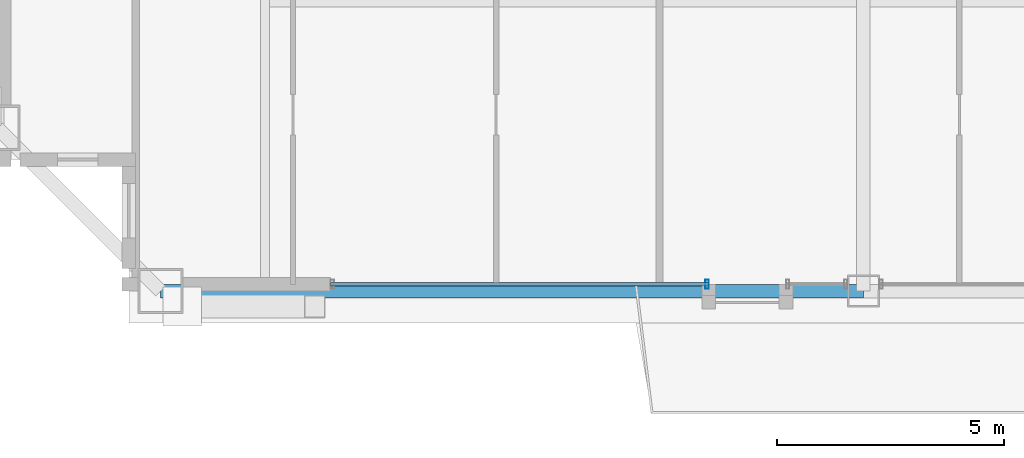
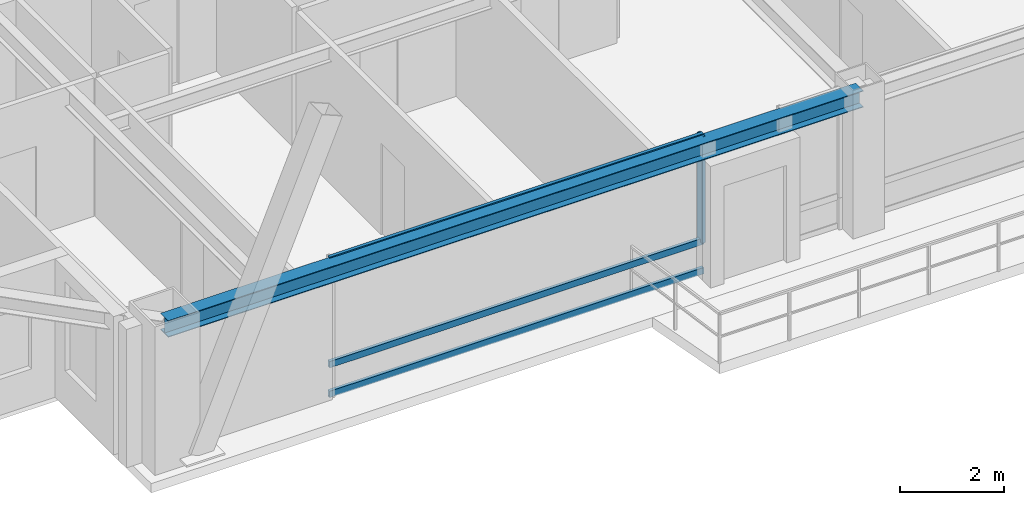
# One storey, part 5 of 35: 4 members, 1 beam, 1 element without a shape of its own.
"""IFC4 building model written with IfcOpenShell, lengths in metres."""

from ifc_helpers import new_model, si_unit, direction, frame, origin, origin_2d, place, context, subcontext, project, spatial, hollow_rectangle, i_section, extrude, source, transform, mapped, material, layer, layer_set, material_profile, profile_set, type_object, element, aggregate, save


model = new_model("IFC4")

# Units and contexts
model_context = context("Model", 3, precision=1e-05, world=origin(), true_north=direction((0.0, 1.0)))
body_context = subcontext(model_context, "Body", "Model", "MODEL_VIEW")
ifc_project = project(units=[si_unit("LENGTHUNIT", "METRE"), si_unit("AREAUNIT", "SQUARE_METRE"), si_unit("VOLUMEUNIT", "CUBIC_METRE"), si_unit("PLANEANGLEUNIT", "RADIAN"), si_unit("MASSUNIT", "GRAM", prefix="KILO"), si_unit("THERMODYNAMICTEMPERATUREUNIT", "KELVIN"), si_unit("POWERUNIT", "WATT")], contexts=[model_context])

# Site, building, storey
site_placement = place(None, origin())
site = spatial("IfcSite", under=ifc_project, at=site_placement, CompositionType="ELEMENT")
building_placement = place(site_placement, origin())
building = spatial("IfcBuilding", under=site, at=building_placement, Name="Yuzanri Waterfront Tower", CompositionType="ELEMENT")
storey_placement = place(building_placement, frame((0.0, 0.0, 335.699951171875)))
storey = spatial("IfcBuildingStorey", under=building, at=storey_placement, Name="L90", CompositionType="ELEMENT", Elevation=335.699951171875)

# Beam
ifc_material_1 = material(Name="Steel Q355B", Category="steel")
ifc_material_profile_1 = material_profile(ifc_material_1, i_section(OverallWidth=0.300048828125, OverallDepth=0.389892578125, WebThickness=0.010009765625, FlangeThickness=0.01611328125, at=origin_2d()), Name="HM 390x300x10x16")
ifc_profile_set_1 = profile_set([ifc_material_profile_1], Name="Steel Q355B")
beam_type = type_object("IfcBeamType", Name="Perimeter Spandrel Q355B HM 390x300", PredefinedType="SPANDREL", material=ifc_profile_set_1)
shared_shape_1 = source(origin(), body_context, "Body", "SweptSolid", [
    extrude(i_section(OverallWidth=0.300048828125, OverallDepth=0.389892578125, WebThickness=0.010009765625, FlangeThickness=0.01611328125, at=origin_2d()), origin(), (0.0, 0.0, 1.0), 15.5),
])
beam_placement = place(storey_placement, frame((21.5, 6.699951171875, 3.06494140625), z_axis=(1.0, 0.0, 0.0), x_axis=(0.0, 1.0, 0.0)))
element("IfcBeam", 1, at=beam_placement, inside=storey, type_object=beam_type, Name="L90 Perimeter Spandrel S1-S2", PredefinedType="SPANDREL", context=body_context, shape_type="MappedRepresentation", body=[
    mapped(shared_shape_1, transform((0.0, 0.0, 0.0), scale=1.0)),
])

# Curtain wall, members
ifc_material_2 = material(Name="Anodized Architectural Bronze", Category="metal")
ifc_layer = layer(ifc_material_2, 0.159912109375)
ifc_layer_set = layer_set([ifc_layer], Name="Anodized Architectural Bronze")
curtain_wall_type = type_object("IfcCurtainWallType", Name="Anodized Bronze High-Rise Penthouse High-Wind Unitized Curtain Wall 6900", PredefinedType="NOTDEFINED", material=ifc_layer_set)
curtain_wall_placement = place(storey_placement, origin())
curtain_wall = element("IfcCurtainWall", 2, at=curtain_wall_placement, inside=storey, type_object=curtain_wall_type, Name="L90 Curtain Wall CW-L90-SL1", PredefinedType="NOTDEFINED")
ifc_material_3 = material(Name="Anodized Architectural Bronze", Category="metal")
ifc_material_profile_2 = material_profile(ifc_material_3, hollow_rectangle(XDim=0.074951171875, YDim=0.199951171875, WallThickness=0.00390625, at=origin_2d()), Name="CWM 75x200")
ifc_profile_set_2 = profile_set([ifc_material_profile_2], Name="Anodized Architectural Bronze")
member_type_1 = type_object("IfcMemberType", Name="Anodized Bronze Primary Curtain-Wall Mullion 75x200", PredefinedType="MULLION", material=ifc_profile_set_2)
shared_shape_2 = source(origin(), body_context, "Body", "SweptSolid", [
    extrude(hollow_rectangle(XDim=0.074951171875, YDim=0.199951171875, WallThickness=0.00390625, at=origin_2d()), origin(), (0.0, 0.0, 1.0), 2.508056640625),
])
member_1_placement = place(storey_placement, frame((33.552001953125, 6.85009765625, 0.751953125), z_axis=(0.0, 0.0, 1.0), x_axis=(1.0, 0.0, 0.0)))
member_1 = element("IfcMember", 3, at=member_1_placement, type_object=member_type_1, Name="CW-L90-SL1 Upper Mullion 01", PredefinedType="MULLION", context=body_context, shape_type="MappedRepresentation", body=[
    mapped(shared_shape_2, transform((0.0, 0.0, 0.0), scale=1.0)),
])
ifc_material_4 = material(Name="Anodized Architectural Bronze", Category="metal")
ifc_material_profile_3 = material_profile(ifc_material_4, hollow_rectangle(XDim=0.074951171875, YDim=0.14990234375, WallThickness=0.00390625, at=origin_2d()), Name="CWT 75x150")
ifc_profile_set_3 = profile_set([ifc_material_profile_3], Name="Anodized Architectural Bronze")
member_type_2 = type_object("IfcMemberType", Name="Anodized Bronze Primary Curtain-Wall Transom 75x150", PredefinedType="USERDEFINED", material=ifc_profile_set_3)
shared_shape_3 = source(origin(), body_context, "Body", "SweptSolid", [
    extrude(hollow_rectangle(XDim=0.074951171875, YDim=0.14990234375, WallThickness=0.00390625, at=origin_2d()), origin(), (0.0, 0.0, 1.0), 8.342041015625),
])
member_2_placement = place(storey_placement, frame((25.25, 6.85009765625, 0.050048828125), z_axis=(1.0, 0.0, 0.0), x_axis=(0.0, 1.0, 0.0)))
member_2 = element("IfcMember", 4, at=member_2_placement, type_object=member_type_2, Name="CW-L90-SL1 Transom 1", ObjectType="TRANSOM", PredefinedType="USERDEFINED", context=body_context, shape_type="MappedRepresentation", body=[
    mapped(shared_shape_3, transform((0.0, 0.0, 0.0), scale=1.0)),
])
member_3_placement = place(storey_placement, frame((25.25, 6.85009765625, 0.75), z_axis=(1.0, 0.0, 0.0), x_axis=(0.0, 1.0, 0.0)))
member_3 = element("IfcMember", 5, at=member_3_placement, type_object=member_type_2, Name="CW-L90-SL1 Transom 2", ObjectType="TRANSOM", PredefinedType="USERDEFINED", context=body_context, shape_type="MappedRepresentation", body=[
    mapped(shared_shape_3, transform((0.0, 0.0, 0.0), scale=1.0)),
])
member_4_placement = place(storey_placement, frame((25.25, 6.85009765625, 3.2099609375), z_axis=(1.0, 0.0, 0.0), x_axis=(0.0, 1.0, 0.0)))
member_4 = element("IfcMember", 6, at=member_4_placement, type_object=member_type_2, Name="CW-L90-SL1 Transom 3", ObjectType="TRANSOM", PredefinedType="USERDEFINED", context=body_context, shape_type="MappedRepresentation", body=[
    mapped(shared_shape_3, transform((0.0, 0.0, 0.0), scale=1.0)),
])
aggregate(curtain_wall, [member_1, member_2, member_3, member_4])

save(model, "model.ifc")
